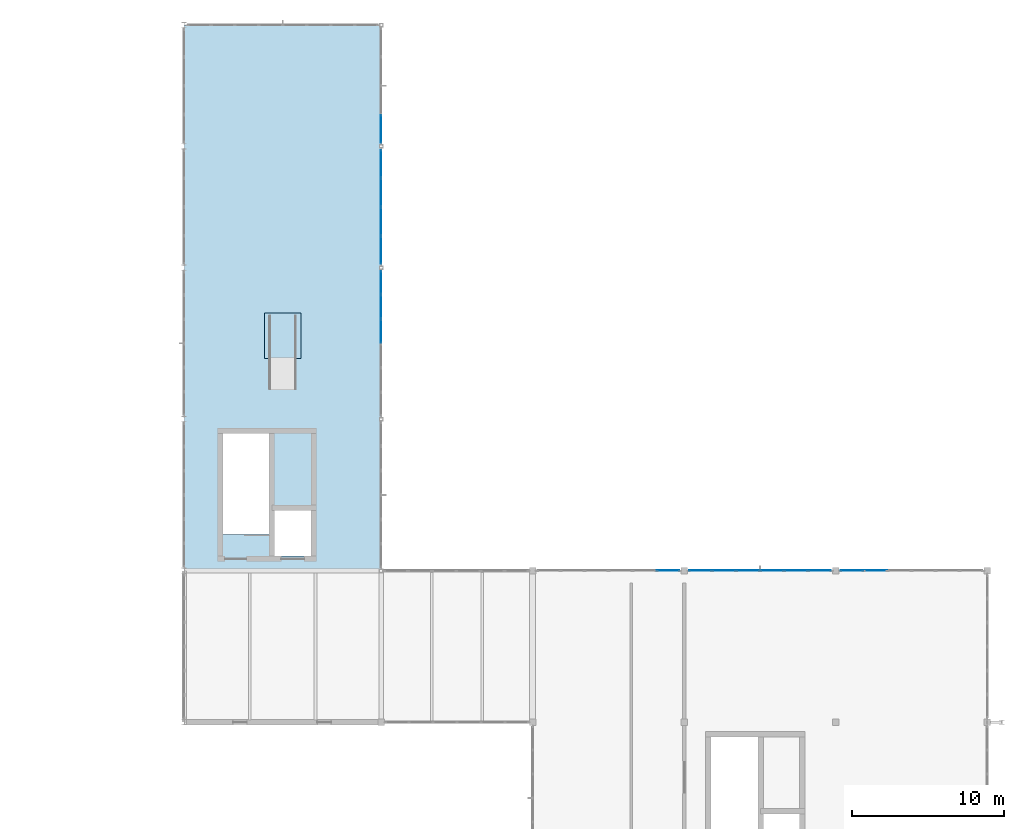
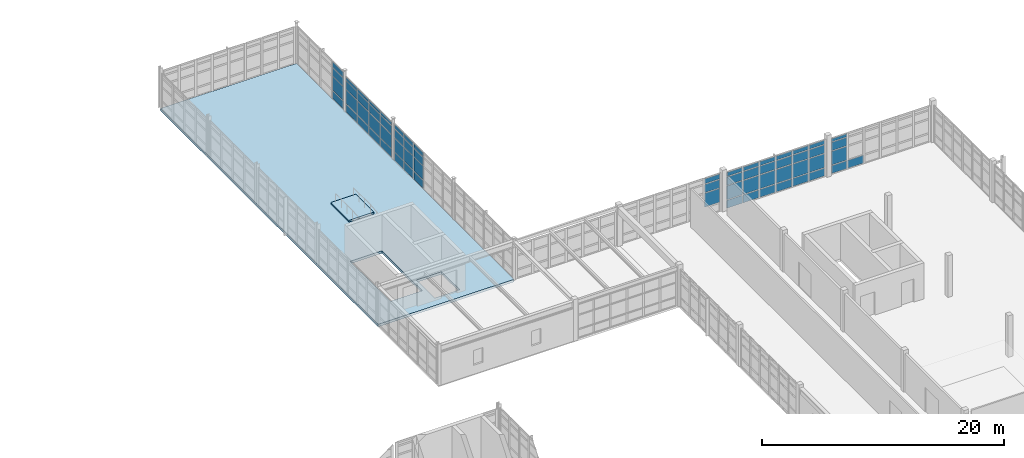
# One storey, part 94 of 122: 64 plates, 2 slabs, 6 elements without a shape of their own.
"""IFC4 building model written with IfcOpenShell, lengths in metres."""

from ifc_helpers import new_model, si_unit, direction, frame, origin, origin_2d, place, context, subcontext, project, spatial, polyline, rectangle, outline, extrude, material, layer, layer_set, type_object, element, aggregate, save


model = new_model("IFC4")

# Units and contexts
model_context = context("Model", 3, precision=1e-05, world=origin(), true_north=direction((0.0, 1.0)))
body_context = subcontext(model_context, "Body", "Model", "MODEL_VIEW")
ifc_project = project(units=[si_unit("LENGTHUNIT", "METRE"), si_unit("AREAUNIT", "SQUARE_METRE"), si_unit("VOLUMEUNIT", "CUBIC_METRE"), si_unit("PLANEANGLEUNIT", "RADIAN"), si_unit("MASSUNIT", "GRAM", prefix="KILO"), si_unit("THERMODYNAMICTEMPERATUREUNIT", "KELVIN"), si_unit("POWERUNIT", "WATT")], contexts=[model_context])

# Site, building, storey
site_placement = place(None, origin())
site = spatial("IfcSite", under=ifc_project, at=site_placement, CompositionType="ELEMENT")
building_placement = place(site_placement, origin())
building = spatial("IfcBuilding", under=site, at=building_placement, Name="Korenveer Ferry Terminal", CompositionType="ELEMENT")
storey_placement = place(building_placement, frame((0.0, 0.0, 10.199951171875)))
storey = spatial("IfcBuildingStorey", under=building, at=storey_placement, Name="L02", CompositionType="ELEMENT", Elevation=10.199951171875)

# Curtain wall, plates
ifc_material_1 = material(Name="Unitised bronze-and-glass curtain wall", Category="glass")
ifc_layer_1 = layer(ifc_material_1, 0.219970703125)
ifc_layer_set_1 = layer_set([ifc_layer_1], Name="Unitised bronze-and-glass curtain wall")
curtain_wall_type_1 = type_object("IfcCurtainWallType", Name="ENV-CW-99", PredefinedType="USERDEFINED", material=ifc_layer_set_1)
curtain_wall_1_placement = place(storey_placement, frame((146.2548828125, 80.0, 0.0)))
curtain_wall_1 = element("IfcCurtainWall", 1, at=curtain_wall_1_placement, inside=storey, type_object=curtain_wall_type_1, Name="Lancet curtain wall CWX-L02-X146-156-Y80-80", ObjectType="UNITISED CURTAIN WALL", PredefinedType="USERDEFINED")
ifc_material_2 = material(Name="Acoustic laminated marine glazing", Category="glass")
ifc_layer_2 = layer(ifc_material_2, 0.035888671875)
ifc_layer_set_2 = layer_set([ifc_layer_2], Name="Acoustic laminated marine glazing")
plate_type = type_object("IfcPlateType", Name="ENV-CWP-GLZ36", PredefinedType="CURTAIN_PANEL", material=ifc_layer_set_2)
plate_1_placement = place(storey_placement, frame((154.935302734375, 80.0, 0.9375), z_axis=(0.0, 0.0, 1.0), x_axis=(1.0, 0.0, 0.0)))
plate_1 = element("IfcPlate", 2, at=plate_1_placement, type_object=plate_type, Name="CW-99 panel 6.2", PredefinedType="CURTAIN_PANEL", context=body_context, shape_type="SweptSolid", body=[
    extrude(rectangle(XDim=1.46923828125, YDim=0.035888671875, at=origin_2d()), origin(), (0.0, 0.0, 1.0), 1.375),
])
plate_2_placement = place(storey_placement, frame((154.935302734375, 80.0, 2.3876953125), z_axis=(0.0, 0.0, 1.0), x_axis=(1.0, 0.0, 0.0)))
plate_2 = element("IfcPlate", 3, at=plate_2_placement, type_object=plate_type, Name="CW-99 panel 6.3", PredefinedType="CURTAIN_PANEL", context=body_context, shape_type="SweptSolid", body=[
    extrude(rectangle(XDim=1.46923828125, YDim=0.035888671875, at=origin_2d()), origin(), (0.0, 0.0, 1.0), 0.824951171875),
])
plate_3_placement = place(storey_placement, frame((154.935302734375, 80.0, 3.28759765625), z_axis=(0.0, 0.0, 1.0), x_axis=(1.0, 0.0, 0.0)))
plate_3 = element("IfcPlate", 4, at=plate_3_placement, type_object=plate_type, Name="CW-99 panel 6.4", PredefinedType="CURTAIN_PANEL", context=body_context, shape_type="SweptSolid", body=[
    extrude(rectangle(XDim=1.46923828125, YDim=0.035888671875, at=origin_2d()), origin(), (0.0, 0.0, 1.0), 0.49755859375),
])
aggregate(curtain_wall_1, [plate_1, plate_2, plate_3])

ifc_layer_3 = layer(ifc_material_1, 0.219970703125)
ifc_layer_set_3 = layer_set([ifc_layer_3], Name="Unitised bronze-and-glass curtain wall")
curtain_wall_type_2 = type_object("IfcCurtainWallType", Name="ENV-CW-100", PredefinedType="USERDEFINED", material=ifc_layer_set_3)
curtain_wall_2_placement = place(storey_placement, frame((156.2548828125, 80.0, 0.0)))
curtain_wall_2 = element("IfcCurtainWall", 5, at=curtain_wall_2_placement, inside=storey, type_object=curtain_wall_type_2, Name="Lancet curtain wall CWX-L02-X156-166-Y80-80", ObjectType="UNITISED CURTAIN WALL", PredefinedType="USERDEFINED")
plate_4_placement = place(storey_placement, frame((157.064697265625, 80.0, 0.074951171875), z_axis=(0.0, 0.0, 1.0), x_axis=(1.0, 0.0, 0.0)))
plate_4 = element("IfcPlate", 6, at=plate_4_placement, type_object=plate_type, Name="CW-100 panel 1.1", PredefinedType="CURTAIN_PANEL", context=body_context, shape_type="SweptSolid", body=[
    extrude(rectangle(XDim=1.46923828125, YDim=0.035888671875, at=origin_2d()), origin(), (0.0, 0.0, 1.0), 0.78759765625),
])
plate_5_placement = place(storey_placement, frame((157.064697265625, 80.0, 0.9375), z_axis=(0.0, 0.0, 1.0), x_axis=(1.0, 0.0, 0.0)))
plate_5 = element("IfcPlate", 7, at=plate_5_placement, type_object=plate_type, Name="CW-100 panel 1.2", PredefinedType="CURTAIN_PANEL", context=body_context, shape_type="SweptSolid", body=[
    extrude(rectangle(XDim=1.46923828125, YDim=0.035888671875, at=origin_2d()), origin(), (0.0, 0.0, 1.0), 1.375),
])
plate_6_placement = place(storey_placement, frame((157.064697265625, 80.0, 2.3876953125), z_axis=(0.0, 0.0, 1.0), x_axis=(1.0, 0.0, 0.0)))
plate_6 = element("IfcPlate", 8, at=plate_6_placement, type_object=plate_type, Name="CW-100 panel 1.3", PredefinedType="CURTAIN_PANEL", context=body_context, shape_type="SweptSolid", body=[
    extrude(rectangle(XDim=1.46923828125, YDim=0.035888671875, at=origin_2d()), origin(), (0.0, 0.0, 1.0), 0.824951171875),
])
plate_7_placement = place(storey_placement, frame((157.064697265625, 80.0, 3.28759765625), z_axis=(0.0, 0.0, 1.0), x_axis=(1.0, 0.0, 0.0)))
plate_7 = element("IfcPlate", 9, at=plate_7_placement, type_object=plate_type, Name="CW-100 panel 1.4", PredefinedType="CURTAIN_PANEL", context=body_context, shape_type="SweptSolid", body=[
    extrude(rectangle(XDim=1.46923828125, YDim=0.035888671875, at=origin_2d()), origin(), (0.0, 0.0, 1.0), 0.3974609375),
])
plate_8_placement = place(storey_placement, frame((158.62744140625, 80.0, 0.074951171875), z_axis=(0.0, 0.0, 1.0), x_axis=(1.0, 0.0, 0.0)))
plate_8 = element("IfcPlate", 10, at=plate_8_placement, type_object=plate_type, Name="CW-100 panel 2.1", PredefinedType="CURTAIN_PANEL", context=body_context, shape_type="SweptSolid", body=[
    extrude(rectangle(XDim=1.506591796875, YDim=0.035888671875, at=origin_2d()), origin(), (0.0, 0.0, 1.0), 0.78759765625),
])
plate_9_placement = place(storey_placement, frame((158.62744140625, 80.0, 0.9375), z_axis=(0.0, 0.0, 1.0), x_axis=(1.0, 0.0, 0.0)))
plate_9 = element("IfcPlate", 11, at=plate_9_placement, type_object=plate_type, Name="CW-100 panel 2.2", PredefinedType="CURTAIN_PANEL", context=body_context, shape_type="SweptSolid", body=[
    extrude(rectangle(XDim=1.506591796875, YDim=0.035888671875, at=origin_2d()), origin(), (0.0, 0.0, 1.0), 1.375),
])
plate_10_placement = place(storey_placement, frame((158.62744140625, 80.0, 2.3876953125), z_axis=(0.0, 0.0, 1.0), x_axis=(1.0, 0.0, 0.0)))
plate_10 = element("IfcPlate", 12, at=plate_10_placement, type_object=plate_type, Name="CW-100 panel 2.3", PredefinedType="CURTAIN_PANEL", context=body_context, shape_type="SweptSolid", body=[
    extrude(rectangle(XDim=1.506591796875, YDim=0.035888671875, at=origin_2d()), origin(), (0.0, 0.0, 1.0), 0.824951171875),
])
plate_11_placement = place(storey_placement, frame((158.62744140625, 80.0, 3.28759765625), z_axis=(0.0, 0.0, 1.0), x_axis=(1.0, 0.0, 0.0)))
plate_11 = element("IfcPlate", 13, at=plate_11_placement, type_object=plate_type, Name="CW-100 panel 2.4", PredefinedType="CURTAIN_PANEL", context=body_context, shape_type="SweptSolid", body=[
    extrude(rectangle(XDim=1.506591796875, YDim=0.035888671875, at=origin_2d()), origin(), (0.0, 0.0, 1.0), 0.3974609375),
])
plate_12_placement = place(storey_placement, frame((160.209228515625, 80.0, 0.074951171875), z_axis=(0.0, 0.0, 1.0), x_axis=(1.0, 0.0, 0.0)))
plate_12 = element("IfcPlate", 14, at=plate_12_placement, type_object=plate_type, Name="CW-100 panel 3.1", PredefinedType="CURTAIN_PANEL", context=body_context, shape_type="SweptSolid", body=[
    extrude(rectangle(XDim=1.506591796875, YDim=0.035888671875, at=origin_2d()), origin(), (0.0, 0.0, 1.0), 0.78759765625),
])
plate_13_placement = place(storey_placement, frame((160.209228515625, 80.0, 0.9375), z_axis=(0.0, 0.0, 1.0), x_axis=(1.0, 0.0, 0.0)))
plate_13 = element("IfcPlate", 15, at=plate_13_placement, type_object=plate_type, Name="CW-100 panel 3.2", PredefinedType="CURTAIN_PANEL", context=body_context, shape_type="SweptSolid", body=[
    extrude(rectangle(XDim=1.506591796875, YDim=0.035888671875, at=origin_2d()), origin(), (0.0, 0.0, 1.0), 1.375),
])
plate_14_placement = place(storey_placement, frame((160.209228515625, 80.0, 2.3876953125), z_axis=(0.0, 0.0, 1.0), x_axis=(1.0, 0.0, 0.0)))
plate_14 = element("IfcPlate", 16, at=plate_14_placement, type_object=plate_type, Name="CW-100 panel 3.3", PredefinedType="CURTAIN_PANEL", context=body_context, shape_type="SweptSolid", body=[
    extrude(rectangle(XDim=1.506591796875, YDim=0.035888671875, at=origin_2d()), origin(), (0.0, 0.0, 1.0), 0.824951171875),
])
plate_15_placement = place(storey_placement, frame((160.209228515625, 80.0, 3.28759765625), z_axis=(0.0, 0.0, 1.0), x_axis=(1.0, 0.0, 0.0)))
plate_15 = element("IfcPlate", 17, at=plate_15_placement, type_object=plate_type, Name="CW-100 panel 3.4", PredefinedType="CURTAIN_PANEL", context=body_context, shape_type="SweptSolid", body=[
    extrude(rectangle(XDim=1.506591796875, YDim=0.035888671875, at=origin_2d()), origin(), (0.0, 0.0, 1.0), 0.3974609375),
])
plate_16_placement = place(storey_placement, frame((161.790771484375, 80.0, 0.074951171875), z_axis=(0.0, 0.0, 1.0), x_axis=(1.0, 0.0, 0.0)))
plate_16 = element("IfcPlate", 18, at=plate_16_placement, type_object=plate_type, Name="CW-100 panel 4.1", PredefinedType="CURTAIN_PANEL", context=body_context, shape_type="SweptSolid", body=[
    extrude(rectangle(XDim=1.506591796875, YDim=0.035888671875, at=origin_2d()), origin(), (0.0, 0.0, 1.0), 0.78759765625),
])
plate_17_placement = place(storey_placement, frame((161.790771484375, 80.0, 0.9375), z_axis=(0.0, 0.0, 1.0), x_axis=(1.0, 0.0, 0.0)))
plate_17 = element("IfcPlate", 19, at=plate_17_placement, type_object=plate_type, Name="CW-100 panel 4.2", PredefinedType="CURTAIN_PANEL", context=body_context, shape_type="SweptSolid", body=[
    extrude(rectangle(XDim=1.506591796875, YDim=0.035888671875, at=origin_2d()), origin(), (0.0, 0.0, 1.0), 1.375),
])
plate_18_placement = place(storey_placement, frame((161.790771484375, 80.0, 2.3876953125), z_axis=(0.0, 0.0, 1.0), x_axis=(1.0, 0.0, 0.0)))
plate_18 = element("IfcPlate", 20, at=plate_18_placement, type_object=plate_type, Name="CW-100 panel 4.3", PredefinedType="CURTAIN_PANEL", context=body_context, shape_type="SweptSolid", body=[
    extrude(rectangle(XDim=1.506591796875, YDim=0.035888671875, at=origin_2d()), origin(), (0.0, 0.0, 1.0), 0.824951171875),
])
plate_19_placement = place(storey_placement, frame((161.790771484375, 80.0, 3.28759765625), z_axis=(0.0, 0.0, 1.0), x_axis=(1.0, 0.0, 0.0)))
plate_19 = element("IfcPlate", 21, at=plate_19_placement, type_object=plate_type, Name="CW-100 panel 4.4", PredefinedType="CURTAIN_PANEL", context=body_context, shape_type="SweptSolid", body=[
    extrude(rectangle(XDim=1.506591796875, YDim=0.035888671875, at=origin_2d()), origin(), (0.0, 0.0, 1.0), 0.3974609375),
])
plate_20_placement = place(storey_placement, frame((163.37255859375, 80.0, 0.074951171875), z_axis=(0.0, 0.0, 1.0), x_axis=(1.0, 0.0, 0.0)))
plate_20 = element("IfcPlate", 22, at=plate_20_placement, type_object=plate_type, Name="CW-100 panel 5.1", PredefinedType="CURTAIN_PANEL", context=body_context, shape_type="SweptSolid", body=[
    extrude(rectangle(XDim=1.506591796875, YDim=0.035888671875, at=origin_2d()), origin(), (0.0, 0.0, 1.0), 0.78759765625),
])
plate_21_placement = place(storey_placement, frame((163.37255859375, 80.0, 0.9375), z_axis=(0.0, 0.0, 1.0), x_axis=(1.0, 0.0, 0.0)))
plate_21 = element("IfcPlate", 23, at=plate_21_placement, type_object=plate_type, Name="CW-100 panel 5.2", PredefinedType="CURTAIN_PANEL", context=body_context, shape_type="SweptSolid", body=[
    extrude(rectangle(XDim=1.506591796875, YDim=0.035888671875, at=origin_2d()), origin(), (0.0, 0.0, 1.0), 1.375),
])
plate_22_placement = place(storey_placement, frame((163.37255859375, 80.0, 2.3876953125), z_axis=(0.0, 0.0, 1.0), x_axis=(1.0, 0.0, 0.0)))
plate_22 = element("IfcPlate", 24, at=plate_22_placement, type_object=plate_type, Name="CW-100 panel 5.3", PredefinedType="CURTAIN_PANEL", context=body_context, shape_type="SweptSolid", body=[
    extrude(rectangle(XDim=1.506591796875, YDim=0.035888671875, at=origin_2d()), origin(), (0.0, 0.0, 1.0), 0.824951171875),
])
plate_23_placement = place(storey_placement, frame((163.37255859375, 80.0, 3.28759765625), z_axis=(0.0, 0.0, 1.0), x_axis=(1.0, 0.0, 0.0)))
plate_23 = element("IfcPlate", 25, at=plate_23_placement, type_object=plate_type, Name="CW-100 panel 5.4", PredefinedType="CURTAIN_PANEL", context=body_context, shape_type="SweptSolid", body=[
    extrude(rectangle(XDim=1.506591796875, YDim=0.035888671875, at=origin_2d()), origin(), (0.0, 0.0, 1.0), 0.3974609375),
])
plate_24_placement = place(storey_placement, frame((164.935302734375, 80.0, 0.074951171875), z_axis=(0.0, 0.0, 1.0), x_axis=(1.0, 0.0, 0.0)))
plate_24 = element("IfcPlate", 26, at=plate_24_placement, type_object=plate_type, Name="CW-100 panel 6.1", PredefinedType="CURTAIN_PANEL", context=body_context, shape_type="SweptSolid", body=[
    extrude(rectangle(XDim=1.46923828125, YDim=0.035888671875, at=origin_2d()), origin(), (0.0, 0.0, 1.0), 0.78759765625),
])
plate_25_placement = place(storey_placement, frame((164.935302734375, 80.0, 0.9375), z_axis=(0.0, 0.0, 1.0), x_axis=(1.0, 0.0, 0.0)))
plate_25 = element("IfcPlate", 27, at=plate_25_placement, type_object=plate_type, Name="CW-100 panel 6.2", PredefinedType="CURTAIN_PANEL", context=body_context, shape_type="SweptSolid", body=[
    extrude(rectangle(XDim=1.46923828125, YDim=0.035888671875, at=origin_2d()), origin(), (0.0, 0.0, 1.0), 1.375),
])
plate_26_placement = place(storey_placement, frame((164.935302734375, 80.0, 2.3876953125), z_axis=(0.0, 0.0, 1.0), x_axis=(1.0, 0.0, 0.0)))
plate_26 = element("IfcPlate", 28, at=plate_26_placement, type_object=plate_type, Name="CW-100 panel 6.3", PredefinedType="CURTAIN_PANEL", context=body_context, shape_type="SweptSolid", body=[
    extrude(rectangle(XDim=1.46923828125, YDim=0.035888671875, at=origin_2d()), origin(), (0.0, 0.0, 1.0), 0.824951171875),
])
plate_27_placement = place(storey_placement, frame((164.935302734375, 80.0, 3.28759765625), z_axis=(0.0, 0.0, 1.0), x_axis=(1.0, 0.0, 0.0)))
plate_27 = element("IfcPlate", 29, at=plate_27_placement, type_object=plate_type, Name="CW-100 panel 6.4", PredefinedType="CURTAIN_PANEL", context=body_context, shape_type="SweptSolid", body=[
    extrude(rectangle(XDim=1.46923828125, YDim=0.035888671875, at=origin_2d()), origin(), (0.0, 0.0, 1.0), 0.3974609375),
])
aggregate(curtain_wall_2, [plate_4, plate_5, plate_6, plate_7, plate_8, plate_9, plate_10, plate_11, plate_12, plate_13, plate_14, plate_15, plate_16, plate_17, plate_18, plate_19, plate_20, plate_21, plate_22, plate_23, plate_24, plate_25, plate_26, plate_27])

ifc_layer_4 = layer(ifc_material_1, 0.219970703125)
ifc_layer_set_4 = layer_set([ifc_layer_4], Name="Unitised bronze-and-glass curtain wall")
curtain_wall_type_3 = type_object("IfcCurtainWallType", Name="ENV-CW-101", PredefinedType="USERDEFINED", material=ifc_layer_set_4)
curtain_wall_3_placement = place(storey_placement, frame((166.2548828125, 80.0, 0.0)))
curtain_wall_3 = element("IfcCurtainWall", 30, at=curtain_wall_3_placement, inside=storey, type_object=curtain_wall_type_3, Name="Lancet curtain wall CWX-L02-X166-176-Y80-80", ObjectType="UNITISED CURTAIN WALL", PredefinedType="USERDEFINED")
plate_28_placement = place(storey_placement, frame((167.064697265625, 80.0, 0.074951171875), z_axis=(0.0, 0.0, 1.0), x_axis=(1.0, 0.0, 0.0)))
plate_28 = element("IfcPlate", 31, at=plate_28_placement, type_object=plate_type, Name="CW-101 panel 1.1", PredefinedType="CURTAIN_PANEL", context=body_context, shape_type="SweptSolid", body=[
    extrude(rectangle(XDim=1.46923828125, YDim=0.035888671875, at=origin_2d()), origin(), (0.0, 0.0, 1.0), 0.78759765625),
])
plate_29_placement = place(storey_placement, frame((167.064697265625, 80.0, 0.9375), z_axis=(0.0, 0.0, 1.0), x_axis=(1.0, 0.0, 0.0)))
plate_29 = element("IfcPlate", 32, at=plate_29_placement, type_object=plate_type, Name="CW-101 panel 1.2", PredefinedType="CURTAIN_PANEL", context=body_context, shape_type="SweptSolid", body=[
    extrude(rectangle(XDim=1.46923828125, YDim=0.035888671875, at=origin_2d()), origin(), (0.0, 0.0, 1.0), 1.375),
])
plate_30_placement = place(storey_placement, frame((167.064697265625, 80.0, 2.3876953125), z_axis=(0.0, 0.0, 1.0), x_axis=(1.0, 0.0, 0.0)))
plate_30 = element("IfcPlate", 33, at=plate_30_placement, type_object=plate_type, Name="CW-101 panel 1.3", PredefinedType="CURTAIN_PANEL", context=body_context, shape_type="SweptSolid", body=[
    extrude(rectangle(XDim=1.46923828125, YDim=0.035888671875, at=origin_2d()), origin(), (0.0, 0.0, 1.0), 0.824951171875),
])
plate_31_placement = place(storey_placement, frame((167.064697265625, 80.0, 3.28759765625), z_axis=(0.0, 0.0, 1.0), x_axis=(1.0, 0.0, 0.0)))
plate_31 = element("IfcPlate", 34, at=plate_31_placement, type_object=plate_type, Name="CW-101 panel 1.4", PredefinedType="CURTAIN_PANEL", context=body_context, shape_type="SweptSolid", body=[
    extrude(rectangle(XDim=1.46923828125, YDim=0.035888671875, at=origin_2d()), origin(), (0.0, 0.0, 1.0), 0.297607421875),
])
plate_32_placement = place(storey_placement, frame((168.62744140625, 80.0, 0.074951171875), z_axis=(0.0, 0.0, 1.0), x_axis=(1.0, 0.0, 0.0)))
plate_32 = element("IfcPlate", 35, at=plate_32_placement, type_object=plate_type, Name="CW-101 panel 2.1", PredefinedType="CURTAIN_PANEL", context=body_context, shape_type="SweptSolid", body=[
    extrude(rectangle(XDim=1.506591796875, YDim=0.035888671875, at=origin_2d()), origin(), (0.0, 0.0, 1.0), 0.78759765625),
])
aggregate(curtain_wall_3, [plate_28, plate_29, plate_30, plate_31, plate_32])

ifc_layer_5 = layer(ifc_material_1, 0.219970703125)
ifc_layer_set_5 = layer_set([ifc_layer_5], Name="Unitised bronze-and-glass curtain wall")
curtain_wall_type_4 = type_object("IfcCurtainWallType", Name="ENV-CW-111", PredefinedType="USERDEFINED", material=ifc_layer_set_5)
curtain_wall_4_placement = place(storey_placement, frame((136.0, 99.83349609375, 0.0)))
curtain_wall_4 = element("IfcCurtainWall", 36, at=curtain_wall_4_placement, inside=storey, type_object=curtain_wall_type_4, Name="Lancet curtain wall CWX-L02-X136-136-Y90-100", ObjectType="UNITISED CURTAIN WALL", PredefinedType="USERDEFINED")
plate_33_placement = place(storey_placement, frame((136.0, 99.00927734375, 0.074951171875), z_axis=(0.0, 0.0, 1.0), x_axis=(0.0, -1.0, 0.0)))
plate_33 = element("IfcPlate", 37, at=plate_33_placement, type_object=plate_type, Name="CW-111 panel 1.1", PredefinedType="CURTAIN_PANEL", context=body_context, shape_type="SweptSolid", body=[
    extrude(rectangle(XDim=1.498779296875, YDim=0.035888671875, at=origin_2d()), origin(), (0.0, 0.0, 1.0), 0.78759765625),
])
plate_34_placement = place(storey_placement, frame((136.0, 99.00927734375, 0.9375), z_axis=(0.0, 0.0, 1.0), x_axis=(0.0, -1.0, 0.0)))
plate_34 = element("IfcPlate", 38, at=plate_34_placement, type_object=plate_type, Name="CW-111 panel 1.2", PredefinedType="CURTAIN_PANEL", context=body_context, shape_type="SweptSolid", body=[
    extrude(rectangle(XDim=1.498779296875, YDim=0.035888671875, at=origin_2d()), origin(), (0.0, 0.0, 1.0), 1.375),
])
plate_35_placement = place(storey_placement, frame((136.0, 99.00927734375, 2.3876953125), z_axis=(0.0, 0.0, 1.0), x_axis=(0.0, -1.0, 0.0)))
plate_35 = element("IfcPlate", 39, at=plate_35_placement, type_object=plate_type, Name="CW-111 panel 1.3", PredefinedType="CURTAIN_PANEL", context=body_context, shape_type="SweptSolid", body=[
    extrude(rectangle(XDim=1.498779296875, YDim=0.035888671875, at=origin_2d()), origin(), (0.0, 0.0, 1.0), 0.824951171875),
])
plate_36_placement = place(storey_placement, frame((136.0, 99.00927734375, 3.28759765625), z_axis=(0.0, 0.0, 1.0), x_axis=(0.0, -1.0, 0.0)))
plate_36 = element("IfcPlate", 40, at=plate_36_placement, type_object=plate_type, Name="CW-111 panel 1.4", PredefinedType="CURTAIN_PANEL", context=body_context, shape_type="SweptSolid", body=[
    extrude(rectangle(XDim=1.498779296875, YDim=0.035888671875, at=origin_2d()), origin(), (0.0, 0.0, 1.0), 0.3974609375),
])
plate_37_placement = place(storey_placement, frame((136.0, 97.416748046875, 0.074951171875), z_axis=(0.0, 0.0, 1.0), x_axis=(0.0, -1.0, 0.0)))
plate_37 = element("IfcPlate", 41, at=plate_37_placement, type_object=plate_type, Name="CW-111 panel 2.1", PredefinedType="CURTAIN_PANEL", context=body_context, shape_type="SweptSolid", body=[
    extrude(rectangle(XDim=1.5361328125, YDim=0.035888671875, at=origin_2d()), origin(), (0.0, 0.0, 1.0), 0.78759765625),
])
plate_38_placement = place(storey_placement, frame((136.0, 97.416748046875, 0.9375), z_axis=(0.0, 0.0, 1.0), x_axis=(0.0, -1.0, 0.0)))
plate_38 = element("IfcPlate", 42, at=plate_38_placement, type_object=plate_type, Name="CW-111 panel 2.2", PredefinedType="CURTAIN_PANEL", context=body_context, shape_type="SweptSolid", body=[
    extrude(rectangle(XDim=1.5361328125, YDim=0.035888671875, at=origin_2d()), origin(), (0.0, 0.0, 1.0), 1.375),
])
plate_39_placement = place(storey_placement, frame((136.0, 97.416748046875, 2.3876953125), z_axis=(0.0, 0.0, 1.0), x_axis=(0.0, -1.0, 0.0)))
plate_39 = element("IfcPlate", 43, at=plate_39_placement, type_object=plate_type, Name="CW-111 panel 2.3", PredefinedType="CURTAIN_PANEL", context=body_context, shape_type="SweptSolid", body=[
    extrude(rectangle(XDim=1.5361328125, YDim=0.035888671875, at=origin_2d()), origin(), (0.0, 0.0, 1.0), 0.824951171875),
])
plate_40_placement = place(storey_placement, frame((136.0, 97.416748046875, 3.28759765625), z_axis=(0.0, 0.0, 1.0), x_axis=(0.0, -1.0, 0.0)))
plate_40 = element("IfcPlate", 44, at=plate_40_placement, type_object=plate_type, Name="CW-111 panel 2.4", PredefinedType="CURTAIN_PANEL", context=body_context, shape_type="SweptSolid", body=[
    extrude(rectangle(XDim=1.5361328125, YDim=0.035888671875, at=origin_2d()), origin(), (0.0, 0.0, 1.0), 0.3974609375),
])
plate_41_placement = place(storey_placement, frame((136.0, 95.8056640625, 0.074951171875), z_axis=(0.0, 0.0, 1.0), x_axis=(0.0, -1.0, 0.0)))
plate_41 = element("IfcPlate", 45, at=plate_41_placement, type_object=plate_type, Name="CW-111 panel 3.1", PredefinedType="CURTAIN_PANEL", context=body_context, shape_type="SweptSolid", body=[
    extrude(rectangle(XDim=1.5361328125, YDim=0.035888671875, at=origin_2d()), origin(), (0.0, 0.0, 1.0), 0.78759765625),
])
plate_42_placement = place(storey_placement, frame((136.0, 95.8056640625, 0.9375), z_axis=(0.0, 0.0, 1.0), x_axis=(0.0, -1.0, 0.0)))
plate_42 = element("IfcPlate", 46, at=plate_42_placement, type_object=plate_type, Name="CW-111 panel 3.2", PredefinedType="CURTAIN_PANEL", context=body_context, shape_type="SweptSolid", body=[
    extrude(rectangle(XDim=1.5361328125, YDim=0.035888671875, at=origin_2d()), origin(), (0.0, 0.0, 1.0), 1.375),
])
plate_43_placement = place(storey_placement, frame((136.0, 95.8056640625, 2.3876953125), z_axis=(0.0, 0.0, 1.0), x_axis=(0.0, -1.0, 0.0)))
plate_43 = element("IfcPlate", 47, at=plate_43_placement, type_object=plate_type, Name="CW-111 panel 3.3", PredefinedType="CURTAIN_PANEL", context=body_context, shape_type="SweptSolid", body=[
    extrude(rectangle(XDim=1.5361328125, YDim=0.035888671875, at=origin_2d()), origin(), (0.0, 0.0, 1.0), 0.824951171875),
])
plate_44_placement = place(storey_placement, frame((136.0, 95.8056640625, 3.28759765625), z_axis=(0.0, 0.0, 1.0), x_axis=(0.0, -1.0, 0.0)))
plate_44 = element("IfcPlate", 48, at=plate_44_placement, type_object=plate_type, Name="CW-111 panel 3.4", PredefinedType="CURTAIN_PANEL", context=body_context, shape_type="SweptSolid", body=[
    extrude(rectangle(XDim=1.5361328125, YDim=0.035888671875, at=origin_2d()), origin(), (0.0, 0.0, 1.0), 0.3974609375),
])
aggregate(curtain_wall_4, [plate_33, plate_34, plate_35, plate_36, plate_37, plate_38, plate_39, plate_40, plate_41, plate_42, plate_43, plate_44])

ifc_layer_6 = layer(ifc_material_1, 0.219970703125)
ifc_layer_set_6 = layer_set([ifc_layer_6], Name="Unitised bronze-and-glass curtain wall")
curtain_wall_type_5 = type_object("IfcCurtainWallType", Name="ENV-CW-112", PredefinedType="USERDEFINED", material=ifc_layer_set_6)
curtain_wall_5_placement = place(storey_placement, frame((136.0, 107.83349609375, 0.0)))
curtain_wall_5 = element("IfcCurtainWall", 49, at=curtain_wall_5_placement, inside=storey, type_object=curtain_wall_type_5, Name="Lancet curtain wall CWX-L02-X136-136-Y100-108", ObjectType="UNITISED CURTAIN WALL", PredefinedType="USERDEFINED")
plate_45_placement = place(storey_placement, frame((136.0, 106.8564453125, 0.074951171875), z_axis=(0.0, 0.0, 1.0), x_axis=(0.0, -1.0, 0.0)))
plate_45 = element("IfcPlate", 50, at=plate_45_placement, type_object=plate_type, Name="CW-112 panel 1.1", PredefinedType="CURTAIN_PANEL", context=body_context, shape_type="SweptSolid", body=[
    extrude(rectangle(XDim=1.80419921875, YDim=0.035888671875, at=origin_2d()), origin(), (0.0, 0.0, 1.0), 0.78759765625),
])
plate_46_placement = place(storey_placement, frame((136.0, 106.8564453125, 0.9375), z_axis=(0.0, 0.0, 1.0), x_axis=(0.0, -1.0, 0.0)))
plate_46 = element("IfcPlate", 51, at=plate_46_placement, type_object=plate_type, Name="CW-112 panel 1.2", PredefinedType="CURTAIN_PANEL", context=body_context, shape_type="SweptSolid", body=[
    extrude(rectangle(XDim=1.80419921875, YDim=0.035888671875, at=origin_2d()), origin(), (0.0, 0.0, 1.0), 1.375),
])
plate_47_placement = place(storey_placement, frame((136.0, 106.8564453125, 2.3876953125), z_axis=(0.0, 0.0, 1.0), x_axis=(0.0, -1.0, 0.0)))
plate_47 = element("IfcPlate", 52, at=plate_47_placement, type_object=plate_type, Name="CW-112 panel 1.3", PredefinedType="CURTAIN_PANEL", context=body_context, shape_type="SweptSolid", body=[
    extrude(rectangle(XDim=1.80419921875, YDim=0.035888671875, at=origin_2d()), origin(), (0.0, 0.0, 1.0), 0.824951171875),
])
plate_48_placement = place(storey_placement, frame((136.0, 106.8564453125, 3.28759765625), z_axis=(0.0, 0.0, 1.0), x_axis=(0.0, -1.0, 0.0)))
plate_48 = element("IfcPlate", 53, at=plate_48_placement, type_object=plate_type, Name="CW-112 panel 1.4", PredefinedType="CURTAIN_PANEL", context=body_context, shape_type="SweptSolid", body=[
    extrude(rectangle(XDim=1.80419921875, YDim=0.035888671875, at=origin_2d()), origin(), (0.0, 0.0, 1.0), 0.297607421875),
])
plate_49_placement = place(storey_placement, frame((136.0, 104.95849609375, 0.074951171875), z_axis=(0.0, 0.0, 1.0), x_axis=(0.0, -1.0, 0.0)))
plate_49 = element("IfcPlate", 54, at=plate_49_placement, type_object=plate_type, Name="CW-112 panel 2.1", PredefinedType="CURTAIN_PANEL", context=body_context, shape_type="SweptSolid", body=[
    extrude(rectangle(XDim=1.841796875, YDim=0.035888671875, at=origin_2d()), origin(), (0.0, 0.0, 1.0), 0.78759765625),
])
plate_50_placement = place(storey_placement, frame((136.0, 104.95849609375, 0.9375), z_axis=(0.0, 0.0, 1.0), x_axis=(0.0, -1.0, 0.0)))
plate_50 = element("IfcPlate", 55, at=plate_50_placement, type_object=plate_type, Name="CW-112 panel 2.2", PredefinedType="CURTAIN_PANEL", context=body_context, shape_type="SweptSolid", body=[
    extrude(rectangle(XDim=1.841796875, YDim=0.035888671875, at=origin_2d()), origin(), (0.0, 0.0, 1.0), 1.375),
])
plate_51_placement = place(storey_placement, frame((136.0, 104.95849609375, 2.3876953125), z_axis=(0.0, 0.0, 1.0), x_axis=(0.0, -1.0, 0.0)))
plate_51 = element("IfcPlate", 56, at=plate_51_placement, type_object=plate_type, Name="CW-112 panel 2.3", PredefinedType="CURTAIN_PANEL", context=body_context, shape_type="SweptSolid", body=[
    extrude(rectangle(XDim=1.841796875, YDim=0.035888671875, at=origin_2d()), origin(), (0.0, 0.0, 1.0), 0.824951171875),
])
plate_52_placement = place(storey_placement, frame((136.0, 104.95849609375, 3.28759765625), z_axis=(0.0, 0.0, 1.0), x_axis=(0.0, -1.0, 0.0)))
plate_52 = element("IfcPlate", 57, at=plate_52_placement, type_object=plate_type, Name="CW-112 panel 2.4", PredefinedType="CURTAIN_PANEL", context=body_context, shape_type="SweptSolid", body=[
    extrude(rectangle(XDim=1.841796875, YDim=0.035888671875, at=origin_2d()), origin(), (0.0, 0.0, 1.0), 0.297607421875),
])
plate_53_placement = place(storey_placement, frame((136.0, 103.04150390625, 0.074951171875), z_axis=(0.0, 0.0, 1.0), x_axis=(0.0, -1.0, 0.0)))
plate_53 = element("IfcPlate", 58, at=plate_53_placement, type_object=plate_type, Name="CW-112 panel 3.1", PredefinedType="CURTAIN_PANEL", context=body_context, shape_type="SweptSolid", body=[
    extrude(rectangle(XDim=1.841796875, YDim=0.035888671875, at=origin_2d()), origin(), (0.0, 0.0, 1.0), 0.78759765625),
])
plate_54_placement = place(storey_placement, frame((136.0, 103.04150390625, 0.9375), z_axis=(0.0, 0.0, 1.0), x_axis=(0.0, -1.0, 0.0)))
plate_54 = element("IfcPlate", 59, at=plate_54_placement, type_object=plate_type, Name="CW-112 panel 3.2", PredefinedType="CURTAIN_PANEL", context=body_context, shape_type="SweptSolid", body=[
    extrude(rectangle(XDim=1.841796875, YDim=0.035888671875, at=origin_2d()), origin(), (0.0, 0.0, 1.0), 1.375),
])
plate_55_placement = place(storey_placement, frame((136.0, 103.04150390625, 2.3876953125), z_axis=(0.0, 0.0, 1.0), x_axis=(0.0, -1.0, 0.0)))
plate_55 = element("IfcPlate", 60, at=plate_55_placement, type_object=plate_type, Name="CW-112 panel 3.3", PredefinedType="CURTAIN_PANEL", context=body_context, shape_type="SweptSolid", body=[
    extrude(rectangle(XDim=1.841796875, YDim=0.035888671875, at=origin_2d()), origin(), (0.0, 0.0, 1.0), 0.824951171875),
])
plate_56_placement = place(storey_placement, frame((136.0, 103.04150390625, 3.28759765625), z_axis=(0.0, 0.0, 1.0), x_axis=(0.0, -1.0, 0.0)))
plate_56 = element("IfcPlate", 61, at=plate_56_placement, type_object=plate_type, Name="CW-112 panel 3.4", PredefinedType="CURTAIN_PANEL", context=body_context, shape_type="SweptSolid", body=[
    extrude(rectangle(XDim=1.841796875, YDim=0.035888671875, at=origin_2d()), origin(), (0.0, 0.0, 1.0), 0.297607421875),
])
plate_57_placement = place(storey_placement, frame((136.0, 101.1435546875, 0.074951171875), z_axis=(0.0, 0.0, 1.0), x_axis=(0.0, -1.0, 0.0)))
plate_57 = element("IfcPlate", 62, at=plate_57_placement, type_object=plate_type, Name="CW-112 panel 4.1", PredefinedType="CURTAIN_PANEL", context=body_context, shape_type="SweptSolid", body=[
    extrude(rectangle(XDim=1.80419921875, YDim=0.035888671875, at=origin_2d()), origin(), (0.0, 0.0, 1.0), 0.78759765625),
])
plate_58_placement = place(storey_placement, frame((136.0, 101.1435546875, 0.9375), z_axis=(0.0, 0.0, 1.0), x_axis=(0.0, -1.0, 0.0)))
plate_58 = element("IfcPlate", 63, at=plate_58_placement, type_object=plate_type, Name="CW-112 panel 4.2", PredefinedType="CURTAIN_PANEL", context=body_context, shape_type="SweptSolid", body=[
    extrude(rectangle(XDim=1.80419921875, YDim=0.035888671875, at=origin_2d()), origin(), (0.0, 0.0, 1.0), 1.375),
])
plate_59_placement = place(storey_placement, frame((136.0, 101.1435546875, 2.3876953125), z_axis=(0.0, 0.0, 1.0), x_axis=(0.0, -1.0, 0.0)))
plate_59 = element("IfcPlate", 64, at=plate_59_placement, type_object=plate_type, Name="CW-112 panel 4.3", PredefinedType="CURTAIN_PANEL", context=body_context, shape_type="SweptSolid", body=[
    extrude(rectangle(XDim=1.80419921875, YDim=0.035888671875, at=origin_2d()), origin(), (0.0, 0.0, 1.0), 0.824951171875),
])
plate_60_placement = place(storey_placement, frame((136.0, 101.1435546875, 3.28759765625), z_axis=(0.0, 0.0, 1.0), x_axis=(0.0, -1.0, 0.0)))
plate_60 = element("IfcPlate", 65, at=plate_60_placement, type_object=plate_type, Name="CW-112 panel 4.4", PredefinedType="CURTAIN_PANEL", context=body_context, shape_type="SweptSolid", body=[
    extrude(rectangle(XDim=1.80419921875, YDim=0.035888671875, at=origin_2d()), origin(), (0.0, 0.0, 1.0), 0.297607421875),
])
aggregate(curtain_wall_5, [plate_45, plate_46, plate_47, plate_48, plate_49, plate_50, plate_51, plate_52, plate_53, plate_54, plate_55, plate_56, plate_57, plate_58, plate_59, plate_60])

ifc_layer_7 = layer(ifc_material_1, 0.219970703125)
ifc_layer_set_7 = layer_set([ifc_layer_7], Name="Unitised bronze-and-glass curtain wall")
curtain_wall_type_6 = type_object("IfcCurtainWallType", Name="ENV-CW-113", PredefinedType="USERDEFINED", material=ifc_layer_set_7)
curtain_wall_6_placement = place(storey_placement, frame((136.0, 115.83349609375, 0.0)))
curtain_wall_6 = element("IfcCurtainWall", 66, at=curtain_wall_6_placement, inside=storey, type_object=curtain_wall_type_6, Name="Lancet curtain wall CWX-L02-X136-136-Y108-116", ObjectType="UNITISED CURTAIN WALL", PredefinedType="USERDEFINED")
plate_61_placement = place(storey_placement, frame((136.0, 109.1435546875, 0.074951171875), z_axis=(0.0, 0.0, 1.0), x_axis=(0.0, -1.0, 0.0)))
plate_61 = element("IfcPlate", 67, at=plate_61_placement, type_object=plate_type, Name="CW-113 panel 4.1", PredefinedType="CURTAIN_PANEL", context=body_context, shape_type="SweptSolid", body=[
    extrude(rectangle(XDim=1.80419921875, YDim=0.035888671875, at=origin_2d()), origin(), (0.0, 0.0, 1.0), 0.78759765625),
])
plate_62_placement = place(storey_placement, frame((136.0, 109.1435546875, 0.9375), z_axis=(0.0, 0.0, 1.0), x_axis=(0.0, -1.0, 0.0)))
plate_62 = element("IfcPlate", 68, at=plate_62_placement, type_object=plate_type, Name="CW-113 panel 4.2", PredefinedType="CURTAIN_PANEL", context=body_context, shape_type="SweptSolid", body=[
    extrude(rectangle(XDim=1.80419921875, YDim=0.035888671875, at=origin_2d()), origin(), (0.0, 0.0, 1.0), 1.375),
])
plate_63_placement = place(storey_placement, frame((136.0, 109.1435546875, 2.3876953125), z_axis=(0.0, 0.0, 1.0), x_axis=(0.0, -1.0, 0.0)))
plate_63 = element("IfcPlate", 69, at=plate_63_placement, type_object=plate_type, Name="CW-113 panel 4.3", PredefinedType="CURTAIN_PANEL", context=body_context, shape_type="SweptSolid", body=[
    extrude(rectangle(XDim=1.80419921875, YDim=0.035888671875, at=origin_2d()), origin(), (0.0, 0.0, 1.0), 0.824951171875),
])
plate_64_placement = place(storey_placement, frame((136.0, 109.1435546875, 3.28759765625), z_axis=(0.0, 0.0, 1.0), x_axis=(0.0, -1.0, 0.0)))
plate_64 = element("IfcPlate", 70, at=plate_64_placement, type_object=plate_type, Name="CW-113 panel 4.4", PredefinedType="CURTAIN_PANEL", context=body_context, shape_type="SweptSolid", body=[
    extrude(rectangle(XDim=1.80419921875, YDim=0.035888671875, at=origin_2d()), origin(), (0.0, 0.0, 1.0), 0.49755859375),
])
aggregate(curtain_wall_6, [plate_61, plate_62, plate_63, plate_64])

# Slabs
ifc_material_3 = material(Name="Concrete C35/45", Category="concrete")
ifc_layer_8 = layer(ifc_material_3, 0.25)
ifc_layer_set_8 = layer_set([ifc_layer_8], Name="Concrete C35/45")
slab_type_1 = type_object("IfcSlabType", Name="STR-SL-FLR250", PredefinedType="FLOOR", material=ifc_layer_set_8)
slab_1_placement = place(storey_placement, frame((0.0, 0.0, -0.25)))
element("IfcSlab", 71, at=slab_1_placement, inside=storey, type_object=slab_type_1, Name="Floor slab SL-L02-PE2", PredefinedType="FLOOR", context=body_context, shape_type="SweptSolid", body=[
    extrude(outline(polyline([(123.0, 80.0), (136.0, 80.0), (136.0, 116.0), (123.0, 116.0), (123.0, 80.0)]), holes=[polyline([(128.60009765625, 82.3798828125), (128.60009765625, 89.0400390625), (125.56005859375, 89.0400390625), (125.56005859375, 82.3798828125), (128.60009765625, 82.3798828125)]), polyline([(128.9599609375, 80.9599609375), (131.360107421875, 80.9599609375), (131.360107421875, 83.9599609375), (128.9599609375, 83.9599609375), (128.9599609375, 80.9599609375)])]), origin(), (0.0, 0.0, 1.0), 0.25),
])
ifc_layer_9 = layer(ifc_material_3, 0.159912109375)
ifc_layer_set_9 = layer_set([ifc_layer_9], Name="Concrete C35/45")
slab_type_2 = type_object("IfcSlabType", Name="STR-SL-WING160", PredefinedType="ROOF", material=ifc_layer_set_9)
slab_2_placement = place(storey_placement, origin())
element("IfcSlab", 72, at=slab_2_placement, inside=storey, type_object=slab_type_2, Name="East Boarding Bridge Accessible Ramp boarding plinth", PredefinedType="ROOF", context=body_context, shape_type="SweptSolid", body=[
    extrude(outline(polyline([(128.300048828125, 94.0), (130.699951171875, 94.0), (130.699951171875, 97.0), (128.300048828125, 97.0), (128.300048828125, 94.0)])), origin(), (0.0, 0.0, 1.0), 0.16015625),
])

save(model, "model.ifc")
